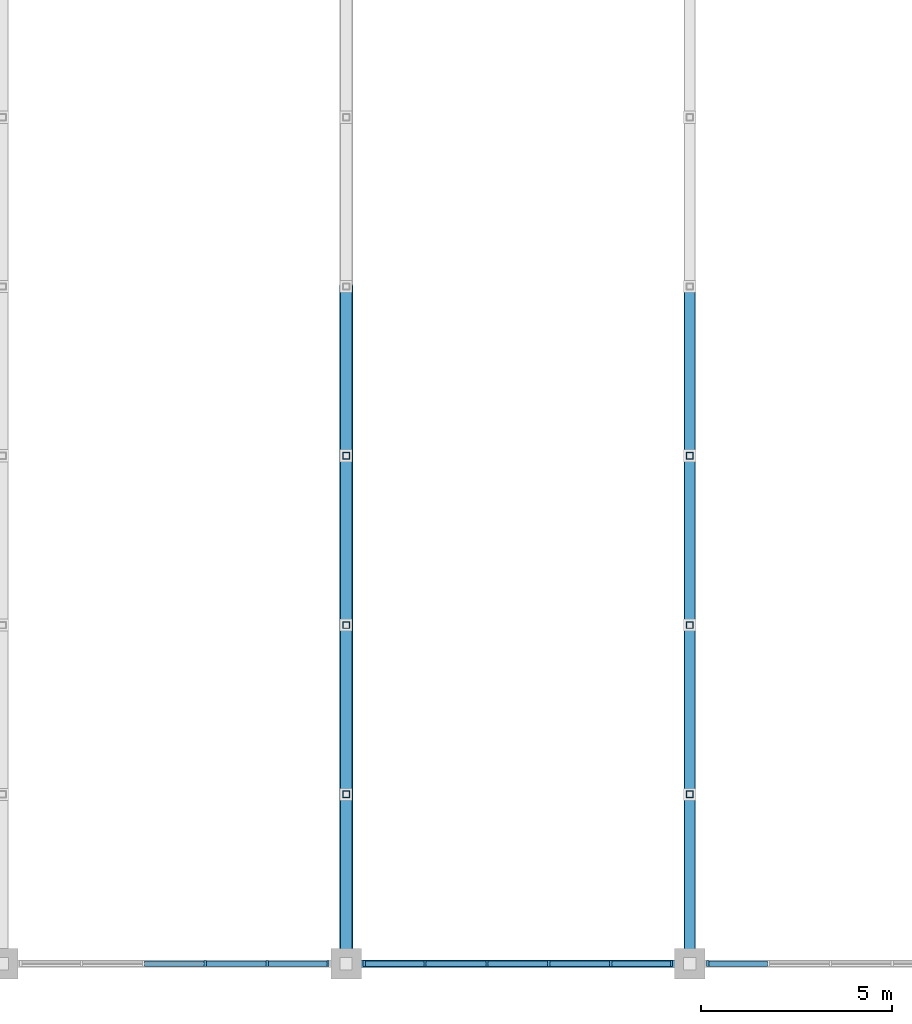
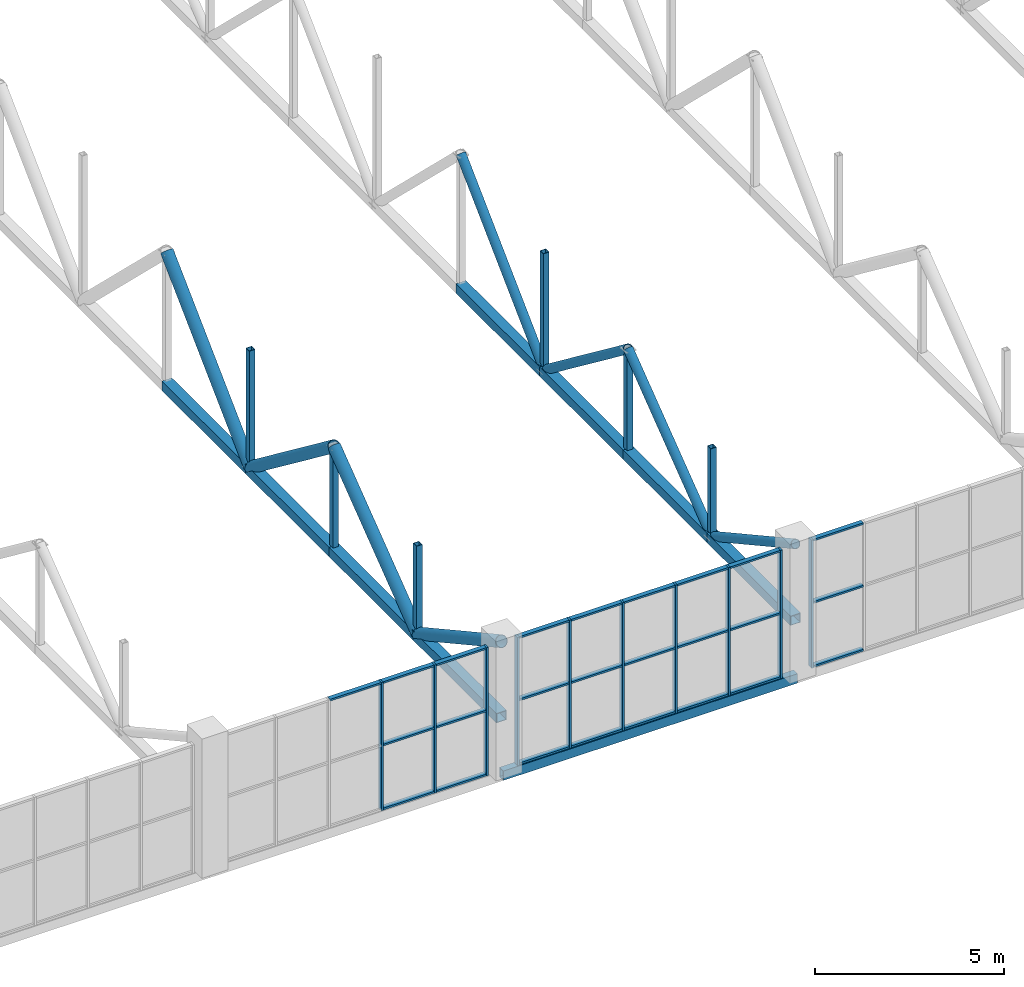
# One storey, part 19 of 103: 57 members, 1 beam, 3 elements without a shape of their own.
"""IFC4 building model written with IfcOpenShell, lengths in metres."""

from ifc_helpers import new_model, si_unit, direction, frame, origin, origin_2d, place, context, subcontext, project, spatial, rectangle, hollow_rectangle, hollow_circle, extrude, material, layer, layer_set, material_profile, profile_set, type_object, element, aggregate, save


model = new_model("IFC4")

# Units and contexts
model_context = context("Model", 3, precision=1e-05, world=origin(), true_north=direction((0.0, 1.0)))
body_context = subcontext(model_context, "Body", "Model", "MODEL_VIEW")
ifc_project = project(units=[si_unit("LENGTHUNIT", "METRE"), si_unit("AREAUNIT", "SQUARE_METRE"), si_unit("VOLUMEUNIT", "CUBIC_METRE"), si_unit("PLANEANGLEUNIT", "RADIAN"), si_unit("MASSUNIT", "GRAM", prefix="KILO")], contexts=[model_context])

# Site, building, storey
site_placement = place(None, origin())
site = spatial("IfcSite", under=ifc_project, at=site_placement, CompositionType="ELEMENT")
building_placement = place(site_placement, origin())
building = spatial("IfcBuilding", under=site, at=building_placement, Name="Cazmaro Siding Exhibition Halls", CompositionType="ELEMENT")
storey_placement = place(building_placement, frame((0.0, 0.0, 16.5)))
storey = spatial("IfcBuildingStorey", under=building, at=storey_placement, Name="L03", CompositionType="ELEMENT", Elevation=16.5)

# Curtain wall, members
ifc_material_1 = material(Name="Anodized Bronze Aluminum and Solar-Control Low-E Glazing", Category="aluminium")
ifc_layer = layer(ifc_material_1, 0.159912109375)
ifc_layer_set = layer_set([ifc_layer], Name="Anodized Bronze Aluminum and Solar-Control Low-E Glazing")
curtain_wall_type = type_object("IfcCurtainWallType", Name="CWS-04", PredefinedType="USERDEFINED", material=ifc_layer_set)
curtain_wall_1_placement = place(storey_placement, origin())
curtain_wall_1 = element("IfcCurtainWall", 1, at=curtain_wall_1_placement, inside=storey, type_object=curtain_wall_type, Name="Clerestory Curtain Wall CWS-04 CW-088", ObjectType="CLERESTORY CURTAIN WALL", PredefinedType="USERDEFINED")
ifc_material_2 = material(Name="Anodized Bronze Extruded Aluminum", Category="aluminium")
ifc_material_profile_1 = material_profile(ifc_material_2, rectangle(XDim=0.159912109375, YDim=0.06005859375, at=origin_2d()), Name="CWM-04")
ifc_profile_set_1 = profile_set([ifc_material_profile_1], Name="Anodized Bronze Extruded Aluminum")
member_type_1 = type_object("IfcMemberType", Name="CWM-04", PredefinedType="MULLION", material=ifc_profile_set_1)
member_1_placement = place(storey_placement, frame((113.31103515625, 9.25, 0.0), z_axis=(0.0, 0.0, 1.0), x_axis=(0.0, 1.0, 0.0)))
member_1 = element("IfcMember", 2, at=member_1_placement, type_object=member_type_1, Name="CWS-04 mullion 4", PredefinedType="MULLION", context=body_context, shape_type="SweptSolid", body=[
    extrude(rectangle(XDim=0.159912109375, YDim=0.06005859375, at=origin_2d()), origin(), (0.0, 0.0, 1.0), 4.14990234375),
])
member_2_placement = place(storey_placement, frame((114.93310546875, 9.25, 0.0), z_axis=(0.0, 0.0, 1.0), x_axis=(0.0, 1.0, 0.0)))
member_2 = element("IfcMember", 3, at=member_2_placement, type_object=member_type_1, Name="CWS-04 mullion 5", PredefinedType="MULLION", context=body_context, shape_type="SweptSolid", body=[
    extrude(rectangle(XDim=0.159912109375, YDim=0.06005859375, at=origin_2d()), origin(), (0.0, 0.0, 1.0), 4.14990234375),
])
member_3_placement = place(storey_placement, frame((116.52490234375, 9.25, 0.0), z_axis=(0.0, 0.0, 1.0), x_axis=(0.0, 1.0, 0.0)))
member_3 = element("IfcMember", 4, at=member_3_placement, type_object=member_type_1, Name="CWS-04 mullion 6", PredefinedType="MULLION", context=body_context, shape_type="SweptSolid", body=[
    extrude(rectangle(XDim=0.159912109375, YDim=0.06005859375, at=origin_2d()), origin(), (0.0, 0.0, 1.0), 4.14990234375),
])

curtain_wall_2_placement = place(storey_placement, origin())
curtain_wall_2 = element("IfcCurtainWall", 5, at=curtain_wall_2_placement, inside=storey, type_object=curtain_wall_type, Name="Clerestory Curtain Wall CWS-04 CW-090", ObjectType="CLERESTORY CURTAIN WALL", PredefinedType="USERDEFINED")
member_4_placement = place(storey_placement, frame((117.47509765625, 9.25, 0.0), z_axis=(0.0, 0.0, 1.0), x_axis=(0.0, 1.0, 0.0)))
member_4 = element("IfcMember", 6, at=member_4_placement, type_object=member_type_1, Name="CWS-04 mullion 1", PredefinedType="MULLION", context=body_context, shape_type="SweptSolid", body=[
    extrude(rectangle(XDim=0.159912109375, YDim=0.06005859375, at=origin_2d()), origin(), (0.0, 0.0, 1.0), 4.14990234375),
])
member_5_placement = place(storey_placement, frame((119.06689453125, 9.25, 0.0), z_axis=(0.0, 0.0, 1.0), x_axis=(0.0, 1.0, 0.0)))
member_5 = element("IfcMember", 7, at=member_5_placement, type_object=member_type_1, Name="CWS-04 mullion 2", PredefinedType="MULLION", context=body_context, shape_type="SweptSolid", body=[
    extrude(rectangle(XDim=0.159912109375, YDim=0.06005859375, at=origin_2d()), origin(), (0.0, 0.0, 1.0), 4.14990234375),
])
member_6_placement = place(storey_placement, frame((120.68896484375, 9.25, 0.0), z_axis=(0.0, 0.0, 1.0), x_axis=(0.0, 1.0, 0.0)))
member_6 = element("IfcMember", 8, at=member_6_placement, type_object=member_type_1, Name="CWS-04 mullion 3", PredefinedType="MULLION", context=body_context, shape_type="SweptSolid", body=[
    extrude(rectangle(XDim=0.159912109375, YDim=0.06005859375, at=origin_2d()), origin(), (0.0, 0.0, 1.0), 4.14990234375),
])
member_7_placement = place(storey_placement, frame((122.31103515625, 9.25, 0.0), z_axis=(0.0, 0.0, 1.0), x_axis=(0.0, 1.0, 0.0)))
member_7 = element("IfcMember", 9, at=member_7_placement, type_object=member_type_1, Name="CWS-04 mullion 4", PredefinedType="MULLION", context=body_context, shape_type="SweptSolid", body=[
    extrude(rectangle(XDim=0.159912109375, YDim=0.06005859375, at=origin_2d()), origin(), (0.0, 0.0, 1.0), 4.14990234375),
])
member_8_placement = place(storey_placement, frame((123.93310546875, 9.25, 0.0), z_axis=(0.0, 0.0, 1.0), x_axis=(0.0, 1.0, 0.0)))
member_8 = element("IfcMember", 10, at=member_8_placement, type_object=member_type_1, Name="CWS-04 mullion 5", PredefinedType="MULLION", context=body_context, shape_type="SweptSolid", body=[
    extrude(rectangle(XDim=0.159912109375, YDim=0.06005859375, at=origin_2d()), origin(), (0.0, 0.0, 1.0), 4.14990234375),
])
member_9_placement = place(storey_placement, frame((125.52490234375, 9.25, 0.0), z_axis=(0.0, 0.0, 1.0), x_axis=(0.0, 1.0, 0.0)))
member_9 = element("IfcMember", 11, at=member_9_placement, type_object=member_type_1, Name="CWS-04 mullion 6", PredefinedType="MULLION", context=body_context, shape_type="SweptSolid", body=[
    extrude(rectangle(XDim=0.159912109375, YDim=0.06005859375, at=origin_2d()), origin(), (0.0, 0.0, 1.0), 4.14990234375),
])

# Curtain wall, member
curtain_wall_3_placement = place(storey_placement, origin())
curtain_wall_3 = element("IfcCurtainWall", 12, at=curtain_wall_3_placement, inside=storey, type_object=curtain_wall_type, Name="Clerestory Curtain Wall CWS-04 CW-092", ObjectType="CLERESTORY CURTAIN WALL", PredefinedType="USERDEFINED")
member_10_placement = place(storey_placement, frame((126.47509765625, 9.25, 0.0), z_axis=(0.0, 0.0, 1.0), x_axis=(0.0, 1.0, 0.0)))
member_10 = element("IfcMember", 13, at=member_10_placement, type_object=member_type_1, Name="CWS-04 mullion 1", PredefinedType="MULLION", context=body_context, shape_type="SweptSolid", body=[
    extrude(rectangle(XDim=0.159912109375, YDim=0.06005859375, at=origin_2d()), origin(), (0.0, 0.0, 1.0), 4.14990234375),
])

# Member
ifc_material_3 = material(Name="Anodized Bronze Extruded Aluminum", Category="aluminium")
ifc_material_profile_2 = material_profile(ifc_material_3, rectangle(XDim=0.139892578125, YDim=0.06005859375, at=origin_2d()), Name="CWT-04")
ifc_profile_set_2 = profile_set([ifc_material_profile_2], Name="Anodized Bronze Extruded Aluminum")
member_type_2 = type_object("IfcMemberType", Name="CWT-04", PredefinedType="MULLION", material=ifc_profile_set_2)
member_11_placement = place(storey_placement, frame((111.718994140625, 9.25, 4.1201171875), z_axis=(1.0, 0.0, 0.0), x_axis=(0.0, 1.0, 0.0)))
member_11 = element("IfcMember", 14, at=member_11_placement, type_object=member_type_2, Name="CWS-04 transom 3.3", ObjectType="TRANSOM", PredefinedType="USERDEFINED", context=body_context, shape_type="SweptSolid", body=[
    extrude(rectangle(XDim=0.139892578125, YDim=0.06005859375, at=origin_2d()), origin(), (0.0, 0.0, 1.0), 1.56201171875),
])

member_12_placement = place(storey_placement, frame((113.341064453125, 9.25, 0.030029296875), z_axis=(1.0, 0.0, 0.0), x_axis=(0.0, 1.0, 0.0)))
member_12 = element("IfcMember", 15, at=member_12_placement, type_object=member_type_2, Name="CWS-04 transom 4.1", ObjectType="TRANSOM", PredefinedType="USERDEFINED", context=body_context, shape_type="SweptSolid", body=[
    extrude(rectangle(XDim=0.139892578125, YDim=0.06005859375, at=origin_2d()), origin(), (0.0, 0.0, 1.0), 1.56201171875),
])

member_13_placement = place(storey_placement, frame((113.341064453125, 9.25, 2.10009765625), z_axis=(1.0, 0.0, 0.0), x_axis=(0.0, 1.0, 0.0)))
member_13 = element("IfcMember", 16, at=member_13_placement, type_object=member_type_2, Name="CWS-04 transom 4.2", ObjectType="TRANSOM", PredefinedType="USERDEFINED", context=body_context, shape_type="SweptSolid", body=[
    extrude(rectangle(XDim=0.139892578125, YDim=0.06005859375, at=origin_2d()), origin(), (0.0, 0.0, 1.0), 1.56201171875),
])

member_14_placement = place(storey_placement, frame((113.341064453125, 9.25, 4.1201171875), z_axis=(1.0, 0.0, 0.0), x_axis=(0.0, 1.0, 0.0)))
member_14 = element("IfcMember", 17, at=member_14_placement, type_object=member_type_2, Name="CWS-04 transom 4.3", ObjectType="TRANSOM", PredefinedType="USERDEFINED", context=body_context, shape_type="SweptSolid", body=[
    extrude(rectangle(XDim=0.139892578125, YDim=0.06005859375, at=origin_2d()), origin(), (0.0, 0.0, 1.0), 1.56201171875),
])

member_15_placement = place(storey_placement, frame((114.962890625, 9.25, 0.030029296875), z_axis=(1.0, 0.0, 0.0), x_axis=(0.0, 1.0, 0.0)))
member_15 = element("IfcMember", 18, at=member_15_placement, type_object=member_type_2, Name="CWS-04 transom 5.1", ObjectType="TRANSOM", PredefinedType="USERDEFINED", context=body_context, shape_type="SweptSolid", body=[
    extrude(rectangle(XDim=0.139892578125, YDim=0.06005859375, at=origin_2d()), origin(), (0.0, 0.0, 1.0), 1.5322265625),
])

member_16_placement = place(storey_placement, frame((114.962890625, 9.25, 2.10009765625), z_axis=(1.0, 0.0, 0.0), x_axis=(0.0, 1.0, 0.0)))
member_16 = element("IfcMember", 19, at=member_16_placement, type_object=member_type_2, Name="CWS-04 transom 5.2", ObjectType="TRANSOM", PredefinedType="USERDEFINED", context=body_context, shape_type="SweptSolid", body=[
    extrude(rectangle(XDim=0.139892578125, YDim=0.06005859375, at=origin_2d()), origin(), (0.0, 0.0, 1.0), 1.5322265625),
])

member_17_placement = place(storey_placement, frame((114.962890625, 9.25, 4.1201171875), z_axis=(1.0, 0.0, 0.0), x_axis=(0.0, 1.0, 0.0)))
member_17 = element("IfcMember", 20, at=member_17_placement, type_object=member_type_2, Name="CWS-04 transom 5.3", ObjectType="TRANSOM", PredefinedType="USERDEFINED", context=body_context, shape_type="SweptSolid", body=[
    extrude(rectangle(XDim=0.139892578125, YDim=0.06005859375, at=origin_2d()), origin(), (0.0, 0.0, 1.0), 1.5322265625),
])

aggregate(curtain_wall_1, [member_1, member_2, member_3, member_11, member_12, member_13, member_14, member_15, member_16, member_17])

member_18_placement = place(storey_placement, frame((117.5048828125, 9.25, 0.030029296875), z_axis=(1.0, 0.0, 0.0), x_axis=(0.0, 1.0, 0.0)))
member_18 = element("IfcMember", 21, at=member_18_placement, type_object=member_type_2, Name="CWS-04 transom 1.1", ObjectType="TRANSOM", PredefinedType="USERDEFINED", context=body_context, shape_type="SweptSolid", body=[
    extrude(rectangle(XDim=0.139892578125, YDim=0.06005859375, at=origin_2d()), origin(), (0.0, 0.0, 1.0), 1.5322265625),
])

member_19_placement = place(storey_placement, frame((117.5048828125, 9.25, 2.10009765625), z_axis=(1.0, 0.0, 0.0), x_axis=(0.0, 1.0, 0.0)))
member_19 = element("IfcMember", 22, at=member_19_placement, type_object=member_type_2, Name="CWS-04 transom 1.2", ObjectType="TRANSOM", PredefinedType="USERDEFINED", context=body_context, shape_type="SweptSolid", body=[
    extrude(rectangle(XDim=0.139892578125, YDim=0.06005859375, at=origin_2d()), origin(), (0.0, 0.0, 1.0), 1.5322265625),
])

member_20_placement = place(storey_placement, frame((117.5048828125, 9.25, 4.1201171875), z_axis=(1.0, 0.0, 0.0), x_axis=(0.0, 1.0, 0.0)))
member_20 = element("IfcMember", 23, at=member_20_placement, type_object=member_type_2, Name="CWS-04 transom 1.3", ObjectType="TRANSOM", PredefinedType="USERDEFINED", context=body_context, shape_type="SweptSolid", body=[
    extrude(rectangle(XDim=0.139892578125, YDim=0.06005859375, at=origin_2d()), origin(), (0.0, 0.0, 1.0), 1.5322265625),
])

member_21_placement = place(storey_placement, frame((119.096923828125, 9.25, 0.030029296875), z_axis=(1.0, 0.0, 0.0), x_axis=(0.0, 1.0, 0.0)))
member_21 = element("IfcMember", 24, at=member_21_placement, type_object=member_type_2, Name="CWS-04 transom 2.1", ObjectType="TRANSOM", PredefinedType="USERDEFINED", context=body_context, shape_type="SweptSolid", body=[
    extrude(rectangle(XDim=0.139892578125, YDim=0.06005859375, at=origin_2d()), origin(), (0.0, 0.0, 1.0), 1.56201171875),
])

member_22_placement = place(storey_placement, frame((119.096923828125, 9.25, 2.10009765625), z_axis=(1.0, 0.0, 0.0), x_axis=(0.0, 1.0, 0.0)))
member_22 = element("IfcMember", 25, at=member_22_placement, type_object=member_type_2, Name="CWS-04 transom 2.2", ObjectType="TRANSOM", PredefinedType="USERDEFINED", context=body_context, shape_type="SweptSolid", body=[
    extrude(rectangle(XDim=0.139892578125, YDim=0.06005859375, at=origin_2d()), origin(), (0.0, 0.0, 1.0), 1.56201171875),
])

member_23_placement = place(storey_placement, frame((119.096923828125, 9.25, 4.1201171875), z_axis=(1.0, 0.0, 0.0), x_axis=(0.0, 1.0, 0.0)))
member_23 = element("IfcMember", 26, at=member_23_placement, type_object=member_type_2, Name="CWS-04 transom 2.3", ObjectType="TRANSOM", PredefinedType="USERDEFINED", context=body_context, shape_type="SweptSolid", body=[
    extrude(rectangle(XDim=0.139892578125, YDim=0.06005859375, at=origin_2d()), origin(), (0.0, 0.0, 1.0), 1.56201171875),
])

member_24_placement = place(storey_placement, frame((120.718994140625, 9.25, 0.030029296875), z_axis=(1.0, 0.0, 0.0), x_axis=(0.0, 1.0, 0.0)))
member_24 = element("IfcMember", 27, at=member_24_placement, type_object=member_type_2, Name="CWS-04 transom 3.1", ObjectType="TRANSOM", PredefinedType="USERDEFINED", context=body_context, shape_type="SweptSolid", body=[
    extrude(rectangle(XDim=0.139892578125, YDim=0.06005859375, at=origin_2d()), origin(), (0.0, 0.0, 1.0), 1.56201171875),
])

member_25_placement = place(storey_placement, frame((120.718994140625, 9.25, 2.10009765625), z_axis=(1.0, 0.0, 0.0), x_axis=(0.0, 1.0, 0.0)))
member_25 = element("IfcMember", 28, at=member_25_placement, type_object=member_type_2, Name="CWS-04 transom 3.2", ObjectType="TRANSOM", PredefinedType="USERDEFINED", context=body_context, shape_type="SweptSolid", body=[
    extrude(rectangle(XDim=0.139892578125, YDim=0.06005859375, at=origin_2d()), origin(), (0.0, 0.0, 1.0), 1.56201171875),
])

member_26_placement = place(storey_placement, frame((120.718994140625, 9.25, 4.1201171875), z_axis=(1.0, 0.0, 0.0), x_axis=(0.0, 1.0, 0.0)))
member_26 = element("IfcMember", 29, at=member_26_placement, type_object=member_type_2, Name="CWS-04 transom 3.3", ObjectType="TRANSOM", PredefinedType="USERDEFINED", context=body_context, shape_type="SweptSolid", body=[
    extrude(rectangle(XDim=0.139892578125, YDim=0.06005859375, at=origin_2d()), origin(), (0.0, 0.0, 1.0), 1.56201171875),
])

member_27_placement = place(storey_placement, frame((122.341064453125, 9.25, 0.030029296875), z_axis=(1.0, 0.0, 0.0), x_axis=(0.0, 1.0, 0.0)))
member_27 = element("IfcMember", 30, at=member_27_placement, type_object=member_type_2, Name="CWS-04 transom 4.1", ObjectType="TRANSOM", PredefinedType="USERDEFINED", context=body_context, shape_type="SweptSolid", body=[
    extrude(rectangle(XDim=0.139892578125, YDim=0.06005859375, at=origin_2d()), origin(), (0.0, 0.0, 1.0), 1.56201171875),
])

member_28_placement = place(storey_placement, frame((122.341064453125, 9.25, 2.10009765625), z_axis=(1.0, 0.0, 0.0), x_axis=(0.0, 1.0, 0.0)))
member_28 = element("IfcMember", 31, at=member_28_placement, type_object=member_type_2, Name="CWS-04 transom 4.2", ObjectType="TRANSOM", PredefinedType="USERDEFINED", context=body_context, shape_type="SweptSolid", body=[
    extrude(rectangle(XDim=0.139892578125, YDim=0.06005859375, at=origin_2d()), origin(), (0.0, 0.0, 1.0), 1.56201171875),
])

member_29_placement = place(storey_placement, frame((122.341064453125, 9.25, 4.1201171875), z_axis=(1.0, 0.0, 0.0), x_axis=(0.0, 1.0, 0.0)))
member_29 = element("IfcMember", 32, at=member_29_placement, type_object=member_type_2, Name="CWS-04 transom 4.3", ObjectType="TRANSOM", PredefinedType="USERDEFINED", context=body_context, shape_type="SweptSolid", body=[
    extrude(rectangle(XDim=0.139892578125, YDim=0.06005859375, at=origin_2d()), origin(), (0.0, 0.0, 1.0), 1.56201171875),
])

member_30_placement = place(storey_placement, frame((123.962890625, 9.25, 0.030029296875), z_axis=(1.0, 0.0, 0.0), x_axis=(0.0, 1.0, 0.0)))
member_30 = element("IfcMember", 33, at=member_30_placement, type_object=member_type_2, Name="CWS-04 transom 5.1", ObjectType="TRANSOM", PredefinedType="USERDEFINED", context=body_context, shape_type="SweptSolid", body=[
    extrude(rectangle(XDim=0.139892578125, YDim=0.06005859375, at=origin_2d()), origin(), (0.0, 0.0, 1.0), 1.5322265625),
])

member_31_placement = place(storey_placement, frame((123.962890625, 9.25, 2.10009765625), z_axis=(1.0, 0.0, 0.0), x_axis=(0.0, 1.0, 0.0)))
member_31 = element("IfcMember", 34, at=member_31_placement, type_object=member_type_2, Name="CWS-04 transom 5.2", ObjectType="TRANSOM", PredefinedType="USERDEFINED", context=body_context, shape_type="SweptSolid", body=[
    extrude(rectangle(XDim=0.139892578125, YDim=0.06005859375, at=origin_2d()), origin(), (0.0, 0.0, 1.0), 1.5322265625),
])

member_32_placement = place(storey_placement, frame((123.962890625, 9.25, 4.1201171875), z_axis=(1.0, 0.0, 0.0), x_axis=(0.0, 1.0, 0.0)))
member_32 = element("IfcMember", 35, at=member_32_placement, type_object=member_type_2, Name="CWS-04 transom 5.3", ObjectType="TRANSOM", PredefinedType="USERDEFINED", context=body_context, shape_type="SweptSolid", body=[
    extrude(rectangle(XDim=0.139892578125, YDim=0.06005859375, at=origin_2d()), origin(), (0.0, 0.0, 1.0), 1.5322265625),
])

aggregate(curtain_wall_2, [member_4, member_5, member_6, member_7, member_8, member_9, member_18, member_19, member_20, member_21, member_22, member_23, member_24, member_25, member_26, member_27, member_28, member_29, member_30, member_31, member_32])

member_33_placement = place(storey_placement, frame((126.5048828125, 9.25, 0.030029296875), z_axis=(1.0, 0.0, 0.0), x_axis=(0.0, 1.0, 0.0)))
member_33 = element("IfcMember", 36, at=member_33_placement, type_object=member_type_2, Name="CWS-04 transom 1.1", ObjectType="TRANSOM", PredefinedType="USERDEFINED", context=body_context, shape_type="SweptSolid", body=[
    extrude(rectangle(XDim=0.139892578125, YDim=0.06005859375, at=origin_2d()), origin(), (0.0, 0.0, 1.0), 1.5322265625),
])

member_34_placement = place(storey_placement, frame((126.5048828125, 9.25, 2.10009765625), z_axis=(1.0, 0.0, 0.0), x_axis=(0.0, 1.0, 0.0)))
member_34 = element("IfcMember", 37, at=member_34_placement, type_object=member_type_2, Name="CWS-04 transom 1.2", ObjectType="TRANSOM", PredefinedType="USERDEFINED", context=body_context, shape_type="SweptSolid", body=[
    extrude(rectangle(XDim=0.139892578125, YDim=0.06005859375, at=origin_2d()), origin(), (0.0, 0.0, 1.0), 1.5322265625),
])

member_35_placement = place(storey_placement, frame((126.5048828125, 9.25, 4.1201171875), z_axis=(1.0, 0.0, 0.0), x_axis=(0.0, 1.0, 0.0)))
member_35 = element("IfcMember", 38, at=member_35_placement, type_object=member_type_2, Name="CWS-04 transom 1.3", ObjectType="TRANSOM", PredefinedType="USERDEFINED", context=body_context, shape_type="SweptSolid", body=[
    extrude(rectangle(XDim=0.139892578125, YDim=0.06005859375, at=origin_2d()), origin(), (0.0, 0.0, 1.0), 1.5322265625),
])

aggregate(curtain_wall_3, [member_10, member_33, member_34, member_35])

# Beam
ifc_material_4 = material(Name="Steel ASTM A500 Grade C", Category="steel")
ifc_material_profile_3 = material_profile(ifc_material_4, hollow_rectangle(XDim=0.202880859375, YDim=0.304931640625, WallThickness=0.011962890625, at=origin_2d()), Name="HSS12X8X1/2")
ifc_profile_set_3 = profile_set([ifc_material_profile_3], Name="Steel ASTM A500 Grade C")
beam_type = type_object("IfcBeamType", Name="SP-01", PredefinedType="SPANDREL", material=ifc_profile_set_3)
beam_placement = place(storey_placement, frame((117.0, 9.25, -0.152099609375), z_axis=(1.0, 0.0, 0.0), x_axis=(0.0, 1.0, 0.0)))
element("IfcBeam", 39, at=beam_placement, inside=storey, type_object=beam_type, Name="Beam SP-01 BM-1503", PredefinedType="SPANDREL", context=body_context, shape_type="SweptSolid", body=[
    extrude(hollow_rectangle(XDim=0.202880859375, YDim=0.304931640625, WallThickness=0.011962890625, at=origin_2d()), origin(), (0.0, 0.0, 1.0), 9.0),
])

# Members
ifc_material_5 = material(Name="Steel ASTM A500 Grade C", Category="steel")
ifc_material_profile_4 = material_profile(ifc_material_5, hollow_rectangle(XDim=0.304931640625, YDim=0.304931640625, WallThickness=0.014892578125, at=origin_2d()), Name="HSS12X12X5/8")
ifc_profile_set_4 = profile_set([ifc_material_profile_4], Name="Steel ASTM A500 Grade C")
member_type_3 = type_object("IfcMemberType", Name="TC-02", PredefinedType="CHORD", material=ifc_profile_set_4)
for number, where, z_axis, x_axis, name in (
    (40, (117.0, 9.25, 1.699951171875), (0.0, 1.0, 0.0), (-1.0, 0.0, 0.0), "Warren roof truss bottom chord TC-02 MEM-2498"),
    (41, (117.0, 13.68505859375, 1.699951171875), (0.0, 1.0, 0.0), (-1.0, 0.0, 0.0), "Warren roof truss bottom chord TC-02 MEM-2501"),
):
    element("IfcMember", number, at=place(storey_placement, frame(where, z_axis=z_axis, x_axis=x_axis)), inside=storey, type_object=member_type_3, Name=name, PredefinedType="CHORD", context=body_context, shape_type="SweptSolid", body=[
        extrude(hollow_rectangle(XDim=0.304931640625, YDim=0.304931640625, WallThickness=0.014892578125, at=origin_2d()), origin(), (0.0, 0.0, 1.0), 4.43505859375),
    ])
member_36_placement = place(storey_placement, frame((117.0, 18.1201171875, 1.699951171875), z_axis=(0.0, 1.0, 0.0), x_axis=(-1.0, 0.0, 0.0)))
element("IfcMember", 42, at=member_36_placement, inside=storey, type_object=member_type_3, Name="Warren roof truss bottom chord TC-02 MEM-2504", PredefinedType="CHORD", context=body_context, shape_type="SweptSolid", body=[
    extrude(hollow_rectangle(XDim=0.304931640625, YDim=0.304931640625, WallThickness=0.014892578125, at=origin_2d()), origin(), (0.0, 0.0, 1.0), 4.434814453125),
])
for number, where, z_axis, x_axis, name in (
    (43, (117.0, 22.554931640625, 1.699951171875), (0.0, 1.0, 0.0), (-1.0, 0.0, 0.0), "Warren roof truss bottom chord TC-02 MEM-2507"),
    (44, (126.0, 9.25, 1.699951171875), (0.0, 1.0, 0.0), (-1.0, 0.0, 0.0), "Warren roof truss bottom chord TC-02 MEM-2537"),
    (45, (126.0, 13.68505859375, 1.699951171875), (0.0, 1.0, 0.0), (-1.0, 0.0, 0.0), "Warren roof truss bottom chord TC-02 MEM-2540"),
):
    element("IfcMember", number, at=place(storey_placement, frame(where, z_axis=z_axis, x_axis=x_axis)), inside=storey, type_object=member_type_3, Name=name, PredefinedType="CHORD", context=body_context, shape_type="SweptSolid", body=[
        extrude(hollow_rectangle(XDim=0.304931640625, YDim=0.304931640625, WallThickness=0.014892578125, at=origin_2d()), origin(), (0.0, 0.0, 1.0), 4.43505859375),
    ])
member_37_placement = place(storey_placement, frame((126.0, 18.1201171875, 1.699951171875), z_axis=(0.0, 1.0, 0.0), x_axis=(-1.0, 0.0, 0.0)))
element("IfcMember", 46, at=member_37_placement, inside=storey, type_object=member_type_3, Name="Warren roof truss bottom chord TC-02 MEM-2543", PredefinedType="CHORD", context=body_context, shape_type="SweptSolid", body=[
    extrude(hollow_rectangle(XDim=0.304931640625, YDim=0.304931640625, WallThickness=0.014892578125, at=origin_2d()), origin(), (0.0, 0.0, 1.0), 4.434814453125),
])
member_38_placement = place(storey_placement, frame((126.0, 22.554931640625, 1.699951171875), z_axis=(0.0, 1.0, 0.0), x_axis=(-1.0, 0.0, 0.0)))
element("IfcMember", 47, at=member_38_placement, inside=storey, type_object=member_type_3, Name="Warren roof truss bottom chord TC-02 MEM-2546", PredefinedType="CHORD", context=body_context, shape_type="SweptSolid", body=[
    extrude(hollow_rectangle(XDim=0.304931640625, YDim=0.304931640625, WallThickness=0.014892578125, at=origin_2d()), origin(), (0.0, 0.0, 1.0), 4.43505859375),
])
ifc_material_6 = material(Name="Steel ASTM A500 Grade C", Category="steel")
ifc_material_profile_5 = material_profile(ifc_material_6, hollow_rectangle(XDim=0.177978515625, YDim=0.177978515625, WallThickness=0.011962890625, at=origin_2d()), Name="HSS7X7X1/2")
ifc_profile_set_5 = profile_set([ifc_material_profile_5], Name="Steel ASTM A500 Grade C")
member_type_4 = type_object("IfcMemberType", Name="TP-02", PredefinedType="POST", material=ifc_profile_set_5)
member_39_placement = place(storey_placement, frame((117.0, 13.68505859375, 1.699951171875), z_axis=(0.0, 0.0, 1.0), x_axis=(1.0, 0.0, 0.0)))
element("IfcMember", 48, at=member_39_placement, inside=storey, type_object=member_type_4, Name="Warren roof truss vertical TP-02 MEM-2527", PredefinedType="POST", context=body_context, shape_type="SweptSolid", body=[
    extrude(hollow_rectangle(XDim=0.177978515625, YDim=0.177978515625, WallThickness=0.011962890625, at=origin_2d()), origin(), (0.0, 0.0, 1.0), 2.906005859375),
])
member_40_placement = place(storey_placement, frame((117.0, 18.1201171875, 1.699951171875), z_axis=(0.0, 0.0, 1.0), x_axis=(1.0, 0.0, 0.0)))
element("IfcMember", 49, at=member_40_placement, inside=storey, type_object=member_type_4, Name="Warren roof truss vertical TP-02 MEM-2528", PredefinedType="POST", context=body_context, shape_type="SweptSolid", body=[
    extrude(hollow_rectangle(XDim=0.177978515625, YDim=0.177978515625, WallThickness=0.011962890625, at=origin_2d()), origin(), (0.0, 0.0, 1.0), 3.373046875),
])
member_41_placement = place(storey_placement, frame((117.0, 22.554931640625, 1.699951171875), z_axis=(0.0, 0.0, 1.0), x_axis=(1.0, 0.0, 0.0)))
element("IfcMember", 50, at=member_41_placement, inside=storey, type_object=member_type_4, Name="Warren roof truss vertical TP-02 MEM-2529", PredefinedType="POST", context=body_context, shape_type="SweptSolid", body=[
    extrude(hollow_rectangle(XDim=0.177978515625, YDim=0.177978515625, WallThickness=0.011962890625, at=origin_2d()), origin(), (0.0, 0.0, 1.0), 3.839111328125),
])
member_42_placement = place(storey_placement, frame((126.0, 13.68505859375, 1.699951171875), z_axis=(0.0, 0.0, 1.0), x_axis=(1.0, 0.0, 0.0)))
element("IfcMember", 51, at=member_42_placement, inside=storey, type_object=member_type_4, Name="Warren roof truss vertical TP-02 MEM-2566", PredefinedType="POST", context=body_context, shape_type="SweptSolid", body=[
    extrude(hollow_rectangle(XDim=0.177978515625, YDim=0.177978515625, WallThickness=0.011962890625, at=origin_2d()), origin(), (0.0, 0.0, 1.0), 2.906005859375),
])
member_43_placement = place(storey_placement, frame((126.0, 18.1201171875, 1.699951171875), z_axis=(0.0, 0.0, 1.0), x_axis=(1.0, 0.0, 0.0)))
element("IfcMember", 52, at=member_43_placement, inside=storey, type_object=member_type_4, Name="Warren roof truss vertical TP-02 MEM-2567", PredefinedType="POST", context=body_context, shape_type="SweptSolid", body=[
    extrude(hollow_rectangle(XDim=0.177978515625, YDim=0.177978515625, WallThickness=0.011962890625, at=origin_2d()), origin(), (0.0, 0.0, 1.0), 3.373046875),
])
member_44_placement = place(storey_placement, frame((126.0, 22.554931640625, 1.699951171875), z_axis=(0.0, 0.0, 1.0), x_axis=(1.0, 0.0, 0.0)))
element("IfcMember", 53, at=member_44_placement, inside=storey, type_object=member_type_4, Name="Warren roof truss vertical TP-02 MEM-2568", PredefinedType="POST", context=body_context, shape_type="SweptSolid", body=[
    extrude(hollow_rectangle(XDim=0.177978515625, YDim=0.177978515625, WallThickness=0.011962890625, at=origin_2d()), origin(), (0.0, 0.0, 1.0), 3.839111328125),
])
ifc_material_7 = material(Name="Steel ASTM A500 Grade C", Category="steel")
ifc_material_profile_6 = material_profile(ifc_material_7, hollow_circle(Radius=0.136474609375, WallThickness=0.012939453125, at=origin_2d()), Name="PIPE10XS")
ifc_profile_set_6 = profile_set([ifc_material_profile_6], Name="Steel ASTM A500 Grade C")
member_type_5 = type_object("IfcMemberType", Name="WB-02", PredefinedType="BRACE", material=ifc_profile_set_6)
member_45_placement = place(storey_placement, frame((126.0, 9.25, 4.139892578125), z_axis=(0.0, 0.876160914294, -0.482018726051), x_axis=(-1.0, 0.0, 0.0)))
element("IfcMember", 54, at=member_45_placement, inside=storey, type_object=member_type_5, Name="Warren roof truss diagonal WB-02 MEM-2538", PredefinedType="BRACE", context=body_context, shape_type="SweptSolid", body=[
    extrude(hollow_circle(Radius=0.136474609375, WallThickness=0.012939453125, at=origin_2d()), origin(), (0.0, 0.0, 1.0), 5.06201171875),
])
member_46_placement = place(storey_placement, frame((126.0, 13.68505859375, 1.699951171875), z_axis=(0.0, 0.795954445209, 0.605356524002), x_axis=(-1.0, 0.0, 0.0)))
element("IfcMember", 55, at=member_46_placement, inside=storey, type_object=member_type_5, Name="Warren roof truss diagonal WB-02 MEM-2541", PredefinedType="BRACE", context=body_context, shape_type="SweptSolid", body=[
    extrude(hollow_circle(Radius=0.136474609375, WallThickness=0.012939453125, at=origin_2d()), origin(), (0.0, 0.0, 1.0), 5.572021484375),
])
member_47_placement = place(storey_placement, frame((126.0, 18.1201171875, 5.072998046875), z_axis=(0.0, 0.795938387852, -0.605377636475), x_axis=(-1.0, 0.0, 0.0)))
element("IfcMember", 56, at=member_47_placement, inside=storey, type_object=member_type_5, Name="Warren roof truss diagonal WB-02 MEM-2544", PredefinedType="BRACE", context=body_context, shape_type="SweptSolid", body=[
    extrude(hollow_circle(Radius=0.136474609375, WallThickness=0.012939453125, at=origin_2d()), origin(), (0.0, 0.0, 1.0), 5.57177734375),
])
member_48_placement = place(storey_placement, frame((126.0, 22.554931640625, 1.699951171875), z_axis=(0.0, 0.717555143773, 0.696501698236), x_axis=(-1.0, 0.0, 0.0)))
element("IfcMember", 57, at=member_48_placement, inside=storey, type_object=member_type_5, Name="Warren roof truss diagonal WB-02 MEM-2547", PredefinedType="BRACE", context=body_context, shape_type="SweptSolid", body=[
    extrude(hollow_circle(Radius=0.136474609375, WallThickness=0.012939453125, at=origin_2d()), origin(), (0.0, 0.0, 1.0), 6.180908203125),
])
ifc_material_8 = material(Name="Steel ASTM A500 Grade C", Category="steel")
ifc_material_profile_7 = material_profile(ifc_material_8, hollow_circle(Radius=0.177978515625, WallThickness=0.012939453125, at=origin_2d()), Name="PIPE14XS")
ifc_profile_set_7 = profile_set([ifc_material_profile_7], Name="Steel ASTM A500 Grade C")
member_type_6 = type_object("IfcMemberType", Name="WB-06", PredefinedType="BRACE", material=ifc_profile_set_7)
member_49_placement = place(storey_placement, frame((117.0, 9.25, 4.139892578125), z_axis=(0.0, 0.876160914294, -0.482018726051), x_axis=(-1.0, 0.0, 0.0)))
element("IfcMember", 58, at=member_49_placement, inside=storey, type_object=member_type_6, Name="Warren roof truss diagonal WB-06 MEM-2499", PredefinedType="BRACE", context=body_context, shape_type="SweptSolid", body=[
    extrude(hollow_circle(Radius=0.177978515625, WallThickness=0.012939453125, at=origin_2d()), origin(), (0.0, 0.0, 1.0), 5.06201171875),
])
member_50_placement = place(storey_placement, frame((117.0, 13.68505859375, 1.699951171875), z_axis=(0.0, 0.795954445209, 0.605356524002), x_axis=(-1.0, 0.0, 0.0)))
element("IfcMember", 59, at=member_50_placement, inside=storey, type_object=member_type_6, Name="Warren roof truss diagonal WB-06 MEM-2502", PredefinedType="BRACE", context=body_context, shape_type="SweptSolid", body=[
    extrude(hollow_circle(Radius=0.177978515625, WallThickness=0.012939453125, at=origin_2d()), origin(), (0.0, 0.0, 1.0), 5.572021484375),
])
member_51_placement = place(storey_placement, frame((117.0, 18.1201171875, 5.072998046875), z_axis=(0.0, 0.795938387852, -0.605377636475), x_axis=(-1.0, 0.0, 0.0)))
element("IfcMember", 60, at=member_51_placement, inside=storey, type_object=member_type_6, Name="Warren roof truss diagonal WB-06 MEM-2505", PredefinedType="BRACE", context=body_context, shape_type="SweptSolid", body=[
    extrude(hollow_circle(Radius=0.177978515625, WallThickness=0.012939453125, at=origin_2d()), origin(), (0.0, 0.0, 1.0), 5.57177734375),
])
member_52_placement = place(storey_placement, frame((117.0, 22.554931640625, 1.699951171875), z_axis=(0.0, 0.717555143773, 0.696501698236), x_axis=(-1.0, 0.0, 0.0)))
element("IfcMember", 61, at=member_52_placement, inside=storey, type_object=member_type_6, Name="Warren roof truss diagonal WB-06 MEM-2508", PredefinedType="BRACE", context=body_context, shape_type="SweptSolid", body=[
    extrude(hollow_circle(Radius=0.177978515625, WallThickness=0.012939453125, at=origin_2d()), origin(), (0.0, 0.0, 1.0), 6.180908203125),
])

save(model, "model.ifc")
